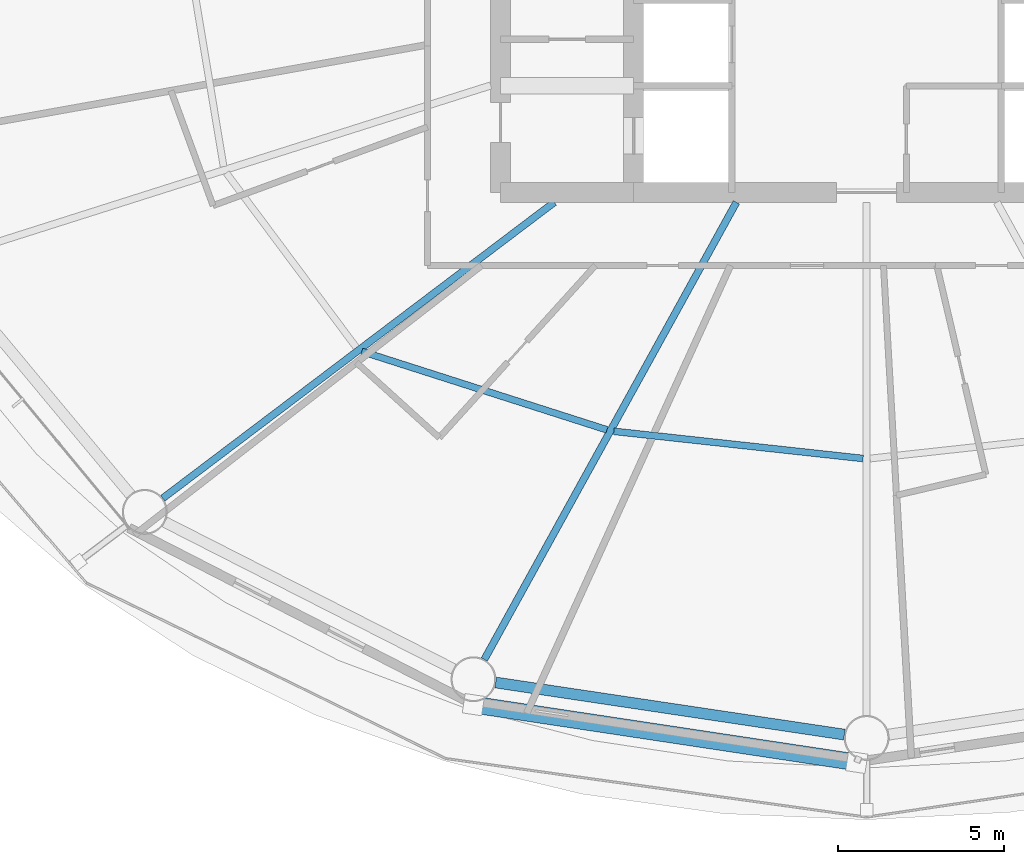
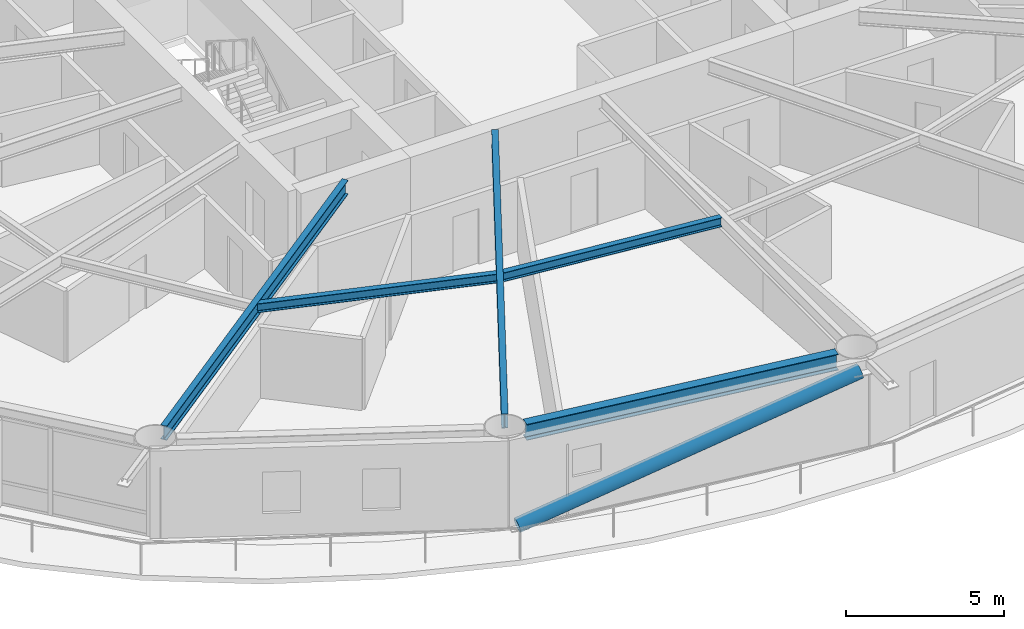
# One storey, part 3 of 26: 5 beams, 1 member.
"""IFC4 building model written with IfcOpenShell, lengths in metres."""

from ifc_helpers import new_model, si_unit, direction, frame, origin, origin_2d, place, context, subcontext, project, spatial, hollow_circle, i_section, extrude, material, material_profile, profile_set, type_object, element, save


model = new_model("IFC4")

# Units and contexts
model_context = context("Model", 3, precision=1e-05, world=origin(), true_north=direction((0.0, 1.0)))
body_context = subcontext(model_context, "Body", "Model", "MODEL_VIEW")
ifc_project = project(units=[si_unit("LENGTHUNIT", "METRE"), si_unit("AREAUNIT", "SQUARE_METRE"), si_unit("VOLUMEUNIT", "CUBIC_METRE"), si_unit("PLANEANGLEUNIT", "RADIAN"), si_unit("MASSUNIT", "GRAM", prefix="KILO")], contexts=[model_context])

# Site, building, storey
site_placement = place(None, origin())
site = spatial("IfcSite", under=ifc_project, at=site_placement, CompositionType="ELEMENT")
building_placement = place(site_placement, origin())
building = spatial("IfcBuilding", under=site, at=building_placement, Name="Sarneth Arch Tower", CompositionType="ELEMENT")
storey_placement = place(building_placement, frame((0.0, 0.0, 53.39990234375)))
storey = spatial("IfcBuildingStorey", under=building, at=storey_placement, Name="L12", CompositionType="ELEMENT", Elevation=53.39990234375)

# Beams
ifc_material_1 = material(Name="Steel S355", Category="steel")
ifc_material_profile_1 = material_profile(ifc_material_1, i_section(OverallWidth=0.2041015625, OverallDepth=0.35009765625, WebThickness=0.008544921875, FlangeThickness=0.01513671875, FilletRadius=0.014892578125, at=origin_2d()), Name="W360x72")
ifc_profile_set_1 = profile_set([ifc_material_profile_1], Name="Steel S355")
beam_type_1 = type_object("IfcBeamType", Name="BM-JOIST-360D", PredefinedType="JOIST", material=ifc_profile_set_1)
beam_1_placement = place(storey_placement, frame((32.82763671875, 30.41845703125, 3.205078125), z_axis=(0.952436240143, -0.304737934073, 0.0), x_axis=(0.304737934073, 0.952436240143, 0.0)))
element("IfcBeam", 1, at=beam_1_placement, inside=storey, type_object=beam_type_1, Name="L12 Secondary floor joist 11", PredefinedType="JOIST", context=body_context, shape_type="SweptSolid", body=[
    extrude(i_section(OverallWidth=0.2041015625, OverallDepth=0.35009765625, WebThickness=0.008544921875, FlangeThickness=0.01513671875, FilletRadius=0.014892578125, at=origin_2d()), origin(), (0.0, 0.0, 1.0), 7.735107421875),
])
beam_2_placement = place(storey_placement, frame((40.403076171875, 28.016845703125, 3.205078125), z_axis=(0.994095251924, -0.108510967657, 0.0), x_axis=(0.108510967657, 0.994095251924, 0.0)))
element("IfcBeam", 2, at=beam_2_placement, inside=storey, type_object=beam_type_1, Name="L12 Secondary floor joist 12", PredefinedType="JOIST", context=body_context, shape_type="SweptSolid", body=[
    extrude(i_section(OverallWidth=0.2041015625, OverallDepth=0.35009765625, WebThickness=0.008544921875, FlangeThickness=0.01513671875, FilletRadius=0.014892578125, at=origin_2d()), origin(), (0.0, 0.0, 1.0), 7.534912109375),
])
ifc_material_2 = material(Name="Steel S355", Category="steel")
ifc_material_profile_2 = material_profile(ifc_material_2, i_section(OverallWidth=0.214111328125, OverallDepth=0.549072265625, WebThickness=0.0146484375, FlangeThickness=0.023681640625, FilletRadius=0.01806640625, at=origin_2d()), Name="W530x138")
ifc_profile_set_2 = profile_set([ifc_material_profile_2], Name="Steel S355")
beam_type_2 = type_object("IfcBeamType", Name="BM-RAD-530A", PredefinedType="BEAM", material=ifc_profile_set_2)
beam_3_placement = place(storey_placement, frame((38.609619140625, 34.89990234375, 3.105712890625), z_axis=(-0.797656612852, -0.603111870198, 0.0), x_axis=(0.603111870198, -0.797656612852, 0.0)))
element("IfcBeam", 3, at=beam_3_placement, inside=storey, type_object=beam_type_2, Name="L12 Radial floor girder 11", PredefinedType="BEAM", context=body_context, shape_type="SweptSolid", body=[
    extrude(i_section(OverallWidth=0.214111328125, OverallDepth=0.549072265625, WebThickness=0.0146484375, FlangeThickness=0.023681640625, FilletRadius=0.01806640625, at=origin_2d()), origin(), (0.0, 0.0, 1.0), 14.7529296875),
])
beam_4_placement = place(storey_placement, frame((44.08544921875, 34.89990234375, 3.105712890625), z_axis=(-0.482837562311, -0.875709933952, 0.0), x_axis=(0.875709933952, -0.482837562311, 0.0)))
element("IfcBeam", 4, at=beam_4_placement, inside=storey, type_object=beam_type_2, Name="L12 Radial floor girder 12", PredefinedType="BEAM", context=body_context, shape_type="SweptSolid", body=[
    extrude(i_section(OverallWidth=0.214111328125, OverallDepth=0.549072265625, WebThickness=0.0146484375, FlangeThickness=0.023681640625, FilletRadius=0.01806640625, at=origin_2d()), origin(), (0.0, 0.0, 1.0), 15.693359375),
])
ifc_material_3 = material(Name="Steel S355", Category="steel")
ifc_material_profile_3 = material_profile(ifc_material_3, i_section(OverallWidth=0.326904296875, OverallDepth=0.6220703125, WebThickness=0.015380859375, FlangeThickness=0.0244140625, FilletRadius=0.01904296875, at=origin_2d()), Name="W610x195")
ifc_profile_set_3 = profile_set([ifc_material_profile_3], Name="Steel S355")
beam_type_3 = type_object("IfcBeamType", Name="BM-SPAN-610A", PredefinedType="SPANDREL", material=ifc_profile_set_3)
beam_5_placement = place(storey_placement, frame((36.849853515625, 20.46630859375, 3.069091796875), z_axis=(0.989015788086, -0.147809914809, 0.0), x_axis=(0.147809914809, 0.989015788086, 0.0)))
element("IfcBeam", 5, at=beam_5_placement, inside=storey, type_object=beam_type_3, Name="L12 Perimeter spandrel beam 12", PredefinedType="SPANDREL", context=body_context, shape_type="SweptSolid", body=[
    extrude(i_section(OverallWidth=0.326904296875, OverallDepth=0.6220703125, WebThickness=0.015380859375, FlangeThickness=0.0244140625, FilletRadius=0.01904296875, at=origin_2d()), origin(), (0.0, 0.0, 1.0), 10.59912109375),
])

# Member
ifc_material_4 = material(Name="Steel S355", Category="steel")
ifc_material_profile_4 = material_profile(ifc_material_4, hollow_circle(Radius=0.25390625, WallThickness=0.01611328125, at=origin_2d()), Name="CHS508x16")
ifc_profile_set_4 = profile_set([ifc_material_profile_4], Name="Steel S355")
member_type = type_object("IfcMemberType", Name="MEM-DIAG-BR1", PredefinedType="BRACE", material=ifc_profile_set_4)
member_placement = place(storey_placement, frame((36.180419921875, 19.80078125, 0.02001953125), z_axis=(0.957875899759, -0.144316613483, 0.248287083301), x_axis=(0.1489817545, 0.988839944999, 0.0)))
element("IfcMember", 6, at=member_placement, inside=storey, type_object=member_type, Name="L12 Perimeter frame diagonal 12", PredefinedType="BRACE", context=body_context, shape_type="SweptSolid", body=[
    extrude(hollow_circle(Radius=0.25390625, WallThickness=0.01611328125, at=origin_2d()), origin(), (0.0, 0.0, 1.0), 12.02978515625),
])

save(model, "model.ifc")
